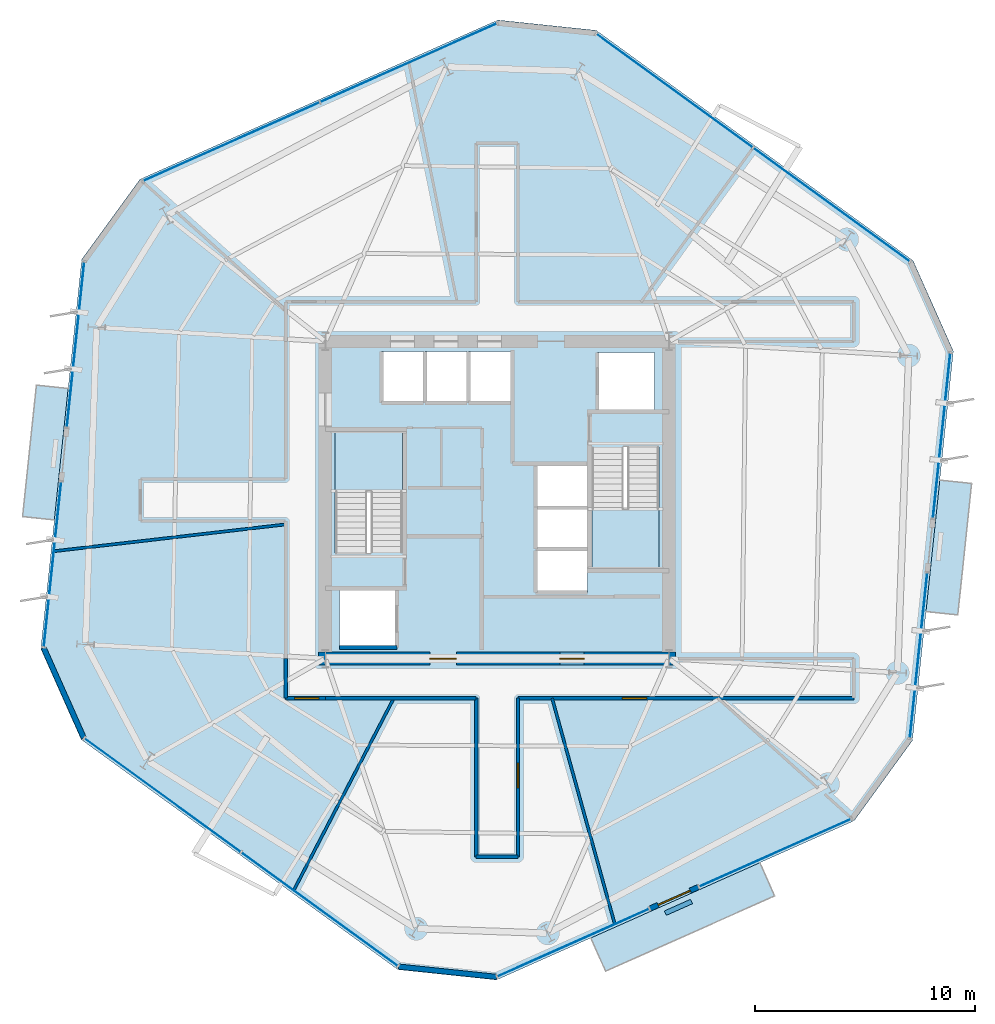
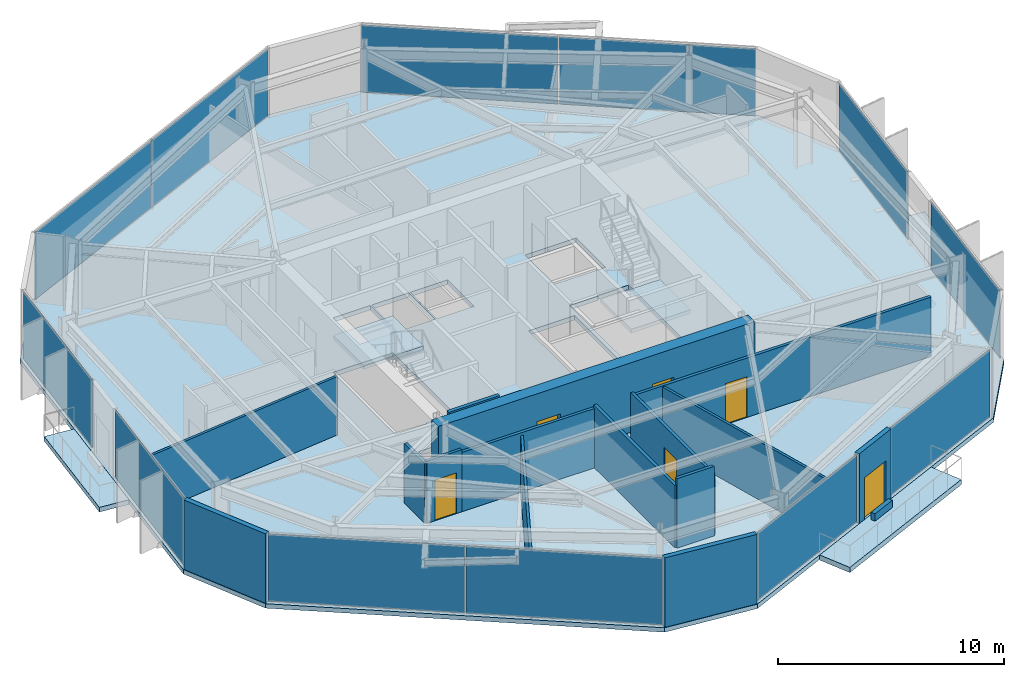
# One storey, part 6 of 13: 16 walls, 12 plates, 6 doors, 6 slabs, 6 openings, 11 elements without a shape of their own.
"""IFC4 building model written with IfcOpenShell, lengths in metres."""

from ifc_helpers import new_model, si_unit, direction, frame, frame_2d, origin, origin_2d, place, context, subcontext, project, spatial, polyline, rectangle, outline, extrude, material, layer, layer_set, type_object, element, fill, aggregate, save


model = new_model("IFC4")

# Units and contexts
model_context = context("Model", 3, precision=1e-05, world=origin(), true_north=direction((0.0, 1.0)))
body_context = subcontext(model_context, "Body", "Model", "MODEL_VIEW")
ifc_project = project(units=[si_unit("LENGTHUNIT", "METRE"), si_unit("AREAUNIT", "SQUARE_METRE"), si_unit("VOLUMEUNIT", "CUBIC_METRE"), si_unit("PLANEANGLEUNIT", "RADIAN"), si_unit("MASSUNIT", "GRAM", prefix="KILO")], contexts=[model_context])

# Site, building, storey
site_placement = place(None, origin())
site = spatial("IfcSite", under=ifc_project, at=site_placement, CompositionType="ELEMENT")
building_placement = place(site_placement, origin())
building = spatial("IfcBuilding", under=site, at=building_placement, Name="Kranzbogen Civic Tower", CompositionType="ELEMENT")
storey_placement = place(building_placement, frame((0.0, 0.0, 118.39990234375)))
storey = spatial("IfcBuildingStorey", under=building, at=storey_placement, Name="L28", CompositionType="ELEMENT", Elevation=118.39990234375)

# Slab
ifc_material_1 = material(Name="Concrete C40/50", Category="concrete")
ifc_layer_1 = layer(ifc_material_1, 0.239990234375, Name="Concrete C40/50")
ifc_layer_set_1 = layer_set([ifc_layer_1], Name="Concrete C40/50")
slab_type_1 = type_object("IfcSlabType", Name="Composite Lower Tower Floor Slab 240 mm", PredefinedType="FLOOR", material=ifc_layer_set_1)
slab_1_placement = place(storey_placement, frame((0.0, 0.0, -0.239990234375)))
element("IfcSlab", 1, at=slab_1_placement, inside=storey, type_object=slab_type_1, Name="L28 tower floor slab", PredefinedType="FLOOR", context=body_context, shape_type="SweptSolid", body=[
    extrude(outline(polyline([(43.889892578125, 35.873046875), (29.50390625, 46.325927734375), (25.028076171875, 46.7958984375), (8.782958984375, 39.56298828125), (6.137939453125, 35.923095703125), (4.280029296875, 18.238037109375), (6.110107421875, 14.126953125), (20.49609375, 3.674072265625), (24.971923828125, 3.2041015625), (41.217041015625, 10.43701171875), (43.862060546875, 14.076904296875), (45.719970703125, 31.761962890625), (43.889892578125, 35.873046875)]), holes=[polyline([(20.449951171875, 20.89990234375), (20.449951171875, 18.300048828125), (17.85009765625, 18.300048828125), (17.85009765625, 20.89990234375), (20.449951171875, 20.89990234375)]), polyline([(29.10009765625, 22.699951171875), (29.10009765625, 20.800048828125), (26.75, 20.800048828125), (26.75, 22.699951171875), (29.10009765625, 22.699951171875)]), polyline([(29.10009765625, 24.64990234375), (29.10009765625, 22.77490234375), (26.75, 22.77490234375), (26.75, 24.64990234375), (26.75, 24.675048828125), (26.75, 26.550048828125), (29.10009765625, 26.550048828125), (29.10009765625, 24.675048828125), (29.10009765625, 24.64990234375)]), polyline([(30.75, 27.340087890625), (30.75, 27.39990234375), (32.35009765625, 27.39990234375), (32.35009765625, 21.89990234375), (29.300048828125, 21.89990234375), (29.300048828125, 27.340087890625), (30.75, 27.340087890625)]), polyline([(19.25, 22.659912109375), (19.25, 22.60009765625), (17.64990234375, 22.60009765625), (17.64990234375, 28.10009765625), (20.699951171875, 28.10009765625), (20.699951171875, 22.659912109375), (19.25, 22.659912109375)]), polyline([(32.14990234375, 31.699951171875), (32.14990234375, 29.10009765625), (29.550048828125, 29.10009765625), (29.550048828125, 31.699951171875), (32.14990234375, 31.699951171875)]), polyline([(21.64990234375, 31.75), (21.64990234375, 29.39990234375), (19.75, 29.39990234375), (19.75, 31.75), (21.64990234375, 31.75)]), polyline([(23.625, 29.39990234375), (21.72509765625, 29.39990234375), (21.72509765625, 31.75), (23.625, 31.75), (23.625, 29.39990234375)]), polyline([(25.60009765625, 29.39990234375), (23.699951171875, 29.39990234375), (23.699951171875, 31.75), (25.60009765625, 31.75), (25.60009765625, 29.39990234375)])]), origin(), (0.0, 0.0, 1.0), 0.239990234375),
])

# Curtain wall, plates
ifc_material_2 = material(Name="Pale Anodised Aluminium", Category="aluminium")
ifc_layer_2 = layer(ifc_material_2, 0.219970703125, Name="Pale Anodised Aluminium")
ifc_layer_set_2 = layer_set([ifc_layer_2], Name="Pale Anodised Aluminium")
curtain_wall_type = type_object("IfcCurtainWallType", Name="Zone 2 Stick Curtain Wall System CW-03", PredefinedType="USERDEFINED", material=ifc_layer_set_2)
curtain_wall_1_placement = place(storey_placement, origin())
curtain_wall_1 = element("IfcCurtainWall", 2, at=curtain_wall_1_placement, inside=storey, type_object=curtain_wall_type, Name="L28 curtain wall CW-L28-F1", ObjectType="STICK CURTAIN WALL", PredefinedType="USERDEFINED")
ifc_material_3 = material(Name="Low-E Triple Glazing Glass", Category="glass")
ifc_layer_3 = layer(ifc_material_3, 0.031982421875, Name="Low-E Triple Glazing Glass")
ifc_layer_set_3 = layer_set([ifc_layer_3], Name="Low-E Triple Glazing Glass")
plate_type = type_object("IfcPlateType", Name="Insulated Low-E Glazing Panel 32 mm", PredefinedType="CURTAIN_PANEL", material=ifc_layer_set_3)
plate_1_placement = place(storey_placement, frame((40.183349609375, 38.408203125, 0.06005859375), z_axis=(0.0, 0.0, 1.0), x_axis=(-0.808995433377, 0.587814927315, 0.0)))
plate_1 = element("IfcPlate", 3, at=plate_1_placement, type_object=plate_type, Name="CW-03 panel 1.1", PredefinedType="CURTAIN_PANEL", context=body_context, shape_type="SweptSolid", body=[
    extrude(rectangle(XDim=8.744384765625, YDim=0.028076171875, at=origin_2d()), origin(), (0.0, 0.0, 1.0), 3.639892578125),
])
plate_2_placement = place(storey_placement, frame((33.060546875, 43.583740234375, 0.06005859375), z_axis=(0.0, 0.0, 1.0), x_axis=(-0.808995433377, 0.587814927315, 0.0)))
plate_2 = element("IfcPlate", 4, at=plate_2_placement, type_object=plate_type, Name="CW-03 panel 2.1", PredefinedType="CURTAIN_PANEL", context=body_context, shape_type="SweptSolid", body=[
    extrude(rectangle(XDim=8.744384765625, YDim=0.028076171875, at=origin_2d()), origin(), (0.0, 0.0, 1.0), 3.639892578125),
])
aggregate(curtain_wall_1, [plate_1, plate_2])

curtain_wall_2_placement = place(storey_placement, origin())
curtain_wall_2 = element("IfcCurtainWall", 5, at=curtain_wall_2_placement, inside=storey, type_object=curtain_wall_type, Name="L28 curtain wall CW-L28-F2", ObjectType="STICK CURTAIN WALL", PredefinedType="USERDEFINED")
plate_3_placement = place(storey_placement, frame((20.97900390625, 44.85302734375, 0.06005859375), z_axis=(0.0, 0.0, 1.0), x_axis=(-0.913533600789, -0.406763272961, 0.0)))
plate_3 = element("IfcPlate", 6, at=plate_3_placement, type_object=plate_type, Name="CW-03 panel 1.1", PredefinedType="CURTAIN_PANEL", context=body_context, shape_type="SweptSolid", body=[
    extrude(rectangle(XDim=8.744384765625, YDim=0.028076171875, at=origin_2d()), origin(), (0.0, 0.0, 1.0), 3.639892578125),
])
plate_4_placement = place(storey_placement, frame((12.93603515625, 41.27197265625, 0.06005859375), z_axis=(0.0, 0.0, 1.0), x_axis=(-0.913533600789, -0.406763272961, 0.0)))
plate_4 = element("IfcPlate", 7, at=plate_4_placement, type_object=plate_type, Name="CW-03 panel 2.1", PredefinedType="CURTAIN_PANEL", context=body_context, shape_type="SweptSolid", body=[
    extrude(rectangle(XDim=8.744384765625, YDim=0.028076171875, at=origin_2d()), origin(), (0.0, 0.0, 1.0), 3.639892578125),
])
aggregate(curtain_wall_2, [plate_3, plate_4])

# Curtain wall, plate
curtain_wall_3_placement = place(storey_placement, origin())
curtain_wall_3 = element("IfcCurtainWall", 8, at=curtain_wall_3_placement, inside=storey, type_object=curtain_wall_type, Name="L28 curtain wall CW-L28-F3-S1", ObjectType="STICK CURTAIN WALL", PredefinedType="USERDEFINED")
plate_5_placement = place(storey_placement, frame((5.860107421875, 32.056884765625, 0.06005859375), z_axis=(0.0, 0.0, 1.0), x_axis=(-0.104534766048, -0.994521232899, 0.0)))
plate_5 = element("IfcPlate", 9, at=plate_5_placement, type_object=plate_type, Name="CW-03 panel 1.1", PredefinedType="CURTAIN_PANEL", context=body_context, shape_type="SweptSolid", body=[
    extrude(rectangle(XDim=7.513916015625, YDim=0.028076171875, at=origin_2d()), origin(), (0.0, 0.0, 1.0), 3.639892578125),
])
aggregate(curtain_wall_3, [plate_5])

curtain_wall_4_placement = place(storey_placement, origin())
curtain_wall_4 = element("IfcCurtainWall", 10, at=curtain_wall_4_placement, inside=storey, type_object=curtain_wall_type, Name="L28 curtain wall CW-L28-F3-S2", ObjectType="STICK CURTAIN WALL", PredefinedType="USERDEFINED")
plate_6_placement = place(storey_placement, frame((4.81201171875, 22.077392578125, 0.06005859375), z_axis=(0.0, 0.0, 1.0), x_axis=(-0.104521149206, -0.99452266408, 0.0)))
plate_6 = element("IfcPlate", 11, at=plate_6_placement, type_object=plate_type, Name="CW-03 panel 1.1", PredefinedType="CURTAIN_PANEL", context=body_context, shape_type="SweptSolid", body=[
    extrude(rectangle(XDim=7.514892578125, YDim=0.028076171875, at=origin_2d()), origin(), (0.0, 0.0, 1.0), 3.639892578125),
])
aggregate(curtain_wall_4, [plate_6])

# Curtain wall, plates
curtain_wall_5_placement = place(storey_placement, origin())
curtain_wall_5 = element("IfcCurtainWall", 12, at=curtain_wall_5_placement, inside=storey, type_object=curtain_wall_type, Name="L28 curtain wall CW-L28-F4", ObjectType="STICK CURTAIN WALL", PredefinedType="USERDEFINED")
plate_7_placement = place(storey_placement, frame((9.816650390625, 11.591796875, 0.06005859375), z_axis=(0.0, 0.0, 1.0), x_axis=(0.808995433377, -0.587814927315, 0.0)))
plate_7 = element("IfcPlate", 13, at=plate_7_placement, type_object=plate_type, Name="CW-03 panel 1.1", PredefinedType="CURTAIN_PANEL", context=body_context, shape_type="SweptSolid", body=[
    extrude(rectangle(XDim=8.744384765625, YDim=0.028076171875, at=origin_2d()), origin(), (0.0, 0.0, 1.0), 3.639892578125),
])
plate_8_placement = place(storey_placement, frame((16.939453125, 6.416259765625, 0.06005859375), z_axis=(0.0, 0.0, 1.0), x_axis=(0.808995433377, -0.587814927315, 0.0)))
plate_8 = element("IfcPlate", 14, at=plate_8_placement, type_object=plate_type, Name="CW-03 panel 2.1", PredefinedType="CURTAIN_PANEL", context=body_context, shape_type="SweptSolid", body=[
    extrude(rectangle(XDim=8.744384765625, YDim=0.028076171875, at=origin_2d()), origin(), (0.0, 0.0, 1.0), 3.639892578125),
])
aggregate(curtain_wall_5, [plate_7, plate_8])

# Curtain wall, plate
curtain_wall_6_placement = place(storey_placement, origin())
curtain_wall_6 = element("IfcCurtainWall", 15, at=curtain_wall_6_placement, inside=storey, type_object=curtain_wall_type, Name="L28 curtain wall CW-L28-F5-S1", ObjectType="STICK CURTAIN WALL", PredefinedType="USERDEFINED")
plate_9_placement = place(storey_placement, frame((28.458984375, 4.896484375, 0.06005859375), z_axis=(0.0, 0.0, 1.0), x_axis=(0.91354666724, 0.406733926264, 0.0)))
plate_9 = element("IfcPlate", 16, at=plate_9_placement, type_object=plate_type, Name="CW-03 panel 1.1", PredefinedType="CURTAIN_PANEL", context=body_context, shape_type="SweptSolid", body=[
    extrude(rectangle(XDim=7.513916015625, YDim=0.028076171875, at=origin_2d()), origin(), (0.0, 0.0, 1.0), 3.639892578125),
])
aggregate(curtain_wall_6, [plate_9])

curtain_wall_7_placement = place(storey_placement, origin())
curtain_wall_7 = element("IfcCurtainWall", 17, at=curtain_wall_7_placement, inside=storey, type_object=curtain_wall_type, Name="L28 curtain wall CW-L28-F5-S2", ObjectType="STICK CURTAIN WALL", PredefinedType="USERDEFINED")
plate_10_placement = place(storey_placement, frame((37.62548828125, 8.97802734375, 0.06005859375), z_axis=(0.0, 0.0, 1.0), x_axis=(0.913519667223, 0.406794564366, 0.0)))
plate_10 = element("IfcPlate", 18, at=plate_10_placement, type_object=plate_type, Name="CW-03 panel 1.1", PredefinedType="CURTAIN_PANEL", context=body_context, shape_type="SweptSolid", body=[
    extrude(rectangle(XDim=7.515380859375, YDim=0.028076171875, at=origin_2d()), origin(), (0.0, 0.0, 1.0), 3.639892578125),
])
aggregate(curtain_wall_7, [plate_10])

curtain_wall_8_placement = place(storey_placement, origin())
curtain_wall_8 = element("IfcCurtainWall", 19, at=curtain_wall_8_placement, inside=storey, type_object=curtain_wall_type, Name="L28 curtain wall CW-L28-F6-S1", ObjectType="STICK CURTAIN WALL", PredefinedType="USERDEFINED")
plate_11_placement = place(storey_placement, frame((44.139892578125, 17.943115234375, 0.06005859375), z_axis=(0.0, 0.0, 1.0), x_axis=(0.104534766048, 0.994521232899, 0.0)))
plate_11 = element("IfcPlate", 20, at=plate_11_placement, type_object=plate_type, Name="CW-03 panel 1.1", PredefinedType="CURTAIN_PANEL", context=body_context, shape_type="SweptSolid", body=[
    extrude(rectangle(XDim=7.513916015625, YDim=0.028076171875, at=origin_2d()), origin(), (0.0, 0.0, 1.0), 3.639892578125),
])
aggregate(curtain_wall_8, [plate_11])

curtain_wall_9_placement = place(storey_placement, origin())
curtain_wall_9 = element("IfcCurtainWall", 21, at=curtain_wall_9_placement, inside=storey, type_object=curtain_wall_type, Name="L28 curtain wall CW-L28-F6-S2", ObjectType="STICK CURTAIN WALL", PredefinedType="USERDEFINED")
plate_12_placement = place(storey_placement, frame((45.18798828125, 27.922607421875, 0.06005859375), z_axis=(0.0, 0.0, 1.0), x_axis=(0.104521149206, 0.99452266408, 0.0)))
plate_12 = element("IfcPlate", 22, at=plate_12_placement, type_object=plate_type, Name="CW-03 panel 1.1", PredefinedType="CURTAIN_PANEL", context=body_context, shape_type="SweptSolid", body=[
    extrude(rectangle(XDim=7.514892578125, YDim=0.028076171875, at=origin_2d()), origin(), (0.0, 0.0, 1.0), 3.639892578125),
])
aggregate(curtain_wall_9, [plate_12])

# Stair, slab
ifc_material_4 = material(Name="Precast concrete C40/50", Category="concrete")
stair_type_1 = type_object("IfcStairType", Name="Tower Core Pressurized Dogleg Stair 1450", PredefinedType="HALF_TURN_STAIR", material=ifc_material_4)
stair_1_placement = place(storey_placement, origin())
stair_1 = element("IfcStair", 23, at=stair_1_placement, inside=storey, type_object=stair_type_1, Name="L28 Tower Core Pressurized Stair 1", PredefinedType="HALF_TURN_STAIR")
ifc_layer_4 = layer(ifc_material_4, 0.199951171875, Name="Precast concrete C40/50")
ifc_layer_set_4 = layer_set([ifc_layer_4], Name="Precast concrete C40/50")
slab_type_2 = type_object("IfcSlabType", Name="Precast Concrete Stair Landing Slab 200 mm", PredefinedType="LANDING", material=ifc_layer_set_4)
slab_2_placement = place(storey_placement, frame((0.0, 0.0, 1.800048828125)))
slab_2 = element("IfcSlab", 24, at=slab_2_placement, type_object=slab_type_2, Name="ST-T1 landing 1", PredefinedType="LANDING", context=body_context, shape_type="SweptSolid", body=[
    extrude(outline(polyline([(20.699951171875, 25.39990234375), (20.699951171875, 28.10009765625), (17.64990234375, 28.10009765625), (17.64990234375, 25.39990234375), (20.699951171875, 25.39990234375)])), origin(), (0.0, 0.0, 1.0), 0.199951171875),
])
aggregate(stair_1, [slab_2])

stair_type_2 = type_object("IfcStairType", Name="Tower Core Secondary Dogleg Stair 1450", PredefinedType="HALF_TURN_STAIR", material=ifc_material_4)
stair_2_placement = place(storey_placement, origin())
stair_2 = element("IfcStair", 25, at=stair_2_placement, inside=storey, type_object=stair_type_2, Name="L28 Tower Core Pressurized Stair 2", PredefinedType="HALF_TURN_STAIR")
slab_3_placement = place(storey_placement, frame((0.0, 0.0, 1.800048828125)))
slab_3 = element("IfcSlab", 26, at=slab_3_placement, type_object=slab_type_2, Name="ST-T2 landing 1", PredefinedType="LANDING", context=body_context, shape_type="SweptSolid", body=[
    extrude(outline(polyline([(29.300048828125, 24.60009765625), (29.300048828125, 21.89990234375), (32.35009765625, 21.89990234375), (32.35009765625, 24.60009765625), (29.300048828125, 24.60009765625)])), origin(), (0.0, 0.0, 1.0), 0.199951171875),
])
aggregate(stair_2, [slab_3])

# Slabs
ifc_layer_5 = layer(ifc_material_1, 0.280029296875, Name="Concrete C40/50")
ifc_layer_set_5 = layer_set([ifc_layer_5], Name="Concrete C40/50")
slab_type_3 = type_object("IfcSlabType", Name="Spiral Terrace Cantilevered Slab 280 mm", PredefinedType="FLOOR", material=ifc_layer_set_5)
slab_4_placement = place(storey_placement, frame((0.0, 0.0, -0.27978515625)))
element("IfcSlab", 27, at=slab_4_placement, inside=storey, type_object=slab_type_3, Name="L28 cantilevered spiral terrace L28-ST", PredefinedType="FLOOR", context=body_context, shape_type="SweptSolid", body=[
    extrude(outline(polyline([(29.257080078125, 5.112060546875), (36.930908203125, 8.529052734375), (37.60205078125, 7.02197265625), (29.927978515625, 3.60498046875), (29.257080078125, 5.112060546875)])), origin(), (0.0, 0.0, 1.0), 0.27978515625),
])
ifc_layer_6 = layer(ifc_material_1, 0.25, Name="Concrete C40/50")
ifc_layer_set_6 = layer_set([ifc_layer_6], Name="Concrete C40/50")
slab_type_4 = type_object("IfcSlabType", Name="Tree Balcony Cantilevered Slab 250 mm", PredefinedType="FLOOR", material=ifc_layer_set_6)
slab_5_placement = place(storey_placement, frame((0.0, 0.0, -0.25)))
element("IfcSlab", 28, at=slab_5_placement, inside=storey, type_object=slab_type_4, Name="L28 cantilevered tree balcony L28-TB1", PredefinedType="FLOOR", context=body_context, shape_type="SweptSolid", body=[
    extrude(outline(polyline([(44.47705078125, 19.93603515625), (45.10498046875, 25.903076171875), (46.547119140625, 25.7509765625), (45.9189453125, 19.783935546875), (44.47705078125, 19.93603515625)])), origin(), (0.0, 0.0, 1.0), 0.25),
])
slab_6_placement = place(storey_placement, frame((0.0, 0.0, -0.25)))
element("IfcSlab", 29, at=slab_6_placement, inside=storey, type_object=slab_type_4, Name="L28 cantilevered tree balcony L28-TB2", PredefinedType="FLOOR", context=body_context, shape_type="SweptSolid", body=[
    extrude(outline(polyline([(5.52294921875, 30.06396484375), (4.89501953125, 24.096923828125), (3.452880859375, 24.2490234375), (4.0810546875, 30.216064453125), (5.52294921875, 30.06396484375)])), origin(), (0.0, 0.0, 1.0), 0.25),
])

# Wall, opening, door
ifc_material_5 = material(Name="Double-Stud Acoustic Gypsum Partition")
ifc_layer_7 = layer(ifc_material_5, 0.14990234375, Name="Double-Stud Acoustic Gypsum Partition")
ifc_layer_set_7 = layer_set([ifc_layer_7], Name="Double-Stud Acoustic Gypsum Partition")
wall_type_1 = type_object("IfcWallType", Name="Acoustic Corridor and Clinical Partition 150 mm", PredefinedType="PARTITIONING", material=ifc_layer_set_7)
wall_1_placement = place(storey_placement, frame((17.199951171875, 16.0, 0.0), z_axis=(0.0, 0.0, 1.0), x_axis=(-1.0, 0.0, 0.0)))
wall_1 = element("IfcWall", 30, at=wall_1_placement, inside=storey, type_object=wall_type_1, Name="L28 corridor partition 01", PredefinedType="PARTITIONING", context=body_context, shape_type="SweptSolid", body=[
    extrude(rectangle(XDim=1.800048828125, YDim=0.14990234375, at=frame_2d((0.89990234375, 0.0))), origin(), (0.0, 0.0, 1.0), 3.360107421875),
])
opening_1_placement = place(wall_1_placement, frame((0.287109375, 0.0, 0.0)))
opening_1 = element("IfcOpeningElement", 31, at=opening_1_placement, cuts=wall_1, Name="Opening D-COR60", PredefinedType="OPENING", context=body_context, shape_type="SweptSolid", body=[
    extrude(rectangle(XDim=1.10009765625, YDim=2.199951171875, at=frame_2d((0.550048828125, 1.10009765625))), frame((0.0, 0.0849609375, 0.0), z_axis=(0.0, -1.0, 0.0), x_axis=(1.0, 0.0, 0.0)), (0.0, 0.0, 1.0), 0.169921875),
])
ifc_material_6 = material(Name="Oak Timber and Fire Core", Category="wood")
door_type_1 = type_object("IfcDoorType", Name="Corridor Acoustic Fire Door 1100x2200", OperationType="NOTDEFINED", PredefinedType="DOOR", material=ifc_material_6)
door_1_placement = place(opening_1_placement, origin())
door_1 = element("IfcDoor", 32, at=door_1_placement, inside=storey, type_object=door_type_1, Name="L28 Executive Briefing Conference Room door", OperationType="SINGLE_SWING_LEFT", OverallHeight=2.199951171875, OverallWidth=1.10009765625, PredefinedType="DOOR", context=body_context, shape_type="SweptSolid", body=[
    extrude(rectangle(XDim=1.10009765625, YDim=2.199951171875, at=frame_2d((0.550048828125, 1.10009765625))), frame((0.0, 0.02490234375, 0.0), z_axis=(0.0, -1.0, 0.0), x_axis=(1.0, 0.0, 0.0)), (0.0, 0.0, 1.0), 0.050048828125),
])
fill(opening_1, door_1)

# Wall
wall_2_placement = place(storey_placement, frame((15.39990234375, 16.0, 0.0), z_axis=(0.0, 0.0, 1.0), x_axis=(0.0, 1.0, 0.0)))
element("IfcWall", 33, at=wall_2_placement, inside=storey, type_object=wall_type_1, Name="L28 corridor partition 02", PredefinedType="PARTITIONING", context=body_context, shape_type="SweptSolid", body=[
    extrude(rectangle(XDim=1.800048828125, YDim=0.14990234375, at=frame_2d((0.89990234375, 0.0))), origin(), (0.0, 0.0, 1.0), 3.210205078125),
])

# Wall, opening, door
wall_3_placement = place(storey_placement, frame((41.199951171875, 16.0, 0.0), z_axis=(0.0, 0.0, 1.0), x_axis=(-1.0, 0.0, 0.0)))
wall_3 = element("IfcWall", 34, at=wall_3_placement, inside=storey, type_object=wall_type_1, Name="L28 corridor partition 19", PredefinedType="PARTITIONING", context=body_context, shape_type="SweptSolid", body=[
    extrude(rectangle(XDim=15.25, YDim=0.14990234375, at=frame_2d((7.625, 0.0))), origin(), (0.0, 0.0, 1.0), 3.210205078125),
])
opening_2_placement = place(wall_3_placement, frame((9.410888671875, 0.0, 0.0)))
opening_2 = element("IfcOpeningElement", 35, at=opening_2_placement, cuts=wall_3, Name="Opening D-COR60", PredefinedType="OPENING", context=body_context, shape_type="SweptSolid", body=[
    extrude(rectangle(XDim=1.10009765625, YDim=2.199951171875, at=frame_2d((0.550048828125, 1.10009765625))), frame((0.0, 0.0849609375, 0.0), z_axis=(0.0, -1.0, 0.0), x_axis=(1.0, 0.0, 0.0)), (0.0, 0.0, 1.0), 0.169921875),
])
door_2_placement = place(opening_2_placement, origin())
door_2 = element("IfcDoor", 36, at=door_2_placement, inside=storey, type_object=door_type_1, Name="L28 Policy Seminar Room door", OperationType="SINGLE_SWING_LEFT", OverallHeight=2.199951171875, OverallWidth=1.10009765625, PredefinedType="DOOR", context=body_context, shape_type="SweptSolid", body=[
    extrude(rectangle(XDim=1.10009765625, YDim=2.199951171875, at=frame_2d((0.550048828125, 1.10009765625))), frame((0.0, 0.02490234375, 0.0), z_axis=(0.0, -1.0, 0.0), x_axis=(1.0, 0.0, 0.0)), (0.0, 0.0, 1.0), 0.050048828125),
])
fill(opening_2, door_2)

wall_4_placement = place(storey_placement, frame((25.949951171875, 16.0, 0.0), z_axis=(0.0, 0.0, 1.0), x_axis=(0.0, -1.0, 0.0)))
wall_4 = element("IfcWall", 37, at=wall_4_placement, inside=storey, type_object=wall_type_1, Name="L28 corridor partition 20", PredefinedType="PARTITIONING", context=body_context, shape_type="SweptSolid", body=[
    extrude(rectangle(XDim=7.199951171875, YDim=0.14990234375, at=frame_2d((3.60009765625, 0.0))), origin(), (0.0, 0.0, 1.0), 3.360107421875),
])
opening_3_placement = place(wall_4_placement, frame((2.9619140625, 0.0, 0.0)))
opening_3 = element("IfcOpeningElement", 38, at=opening_3_placement, cuts=wall_4, Name="Opening D-COR60", PredefinedType="OPENING", context=body_context, shape_type="SweptSolid", body=[
    extrude(rectangle(XDim=1.10009765625, YDim=2.199951171875, at=frame_2d((0.550048828125, 1.10009765625))), frame((0.0, 0.0849609375, 0.0), z_axis=(0.0, -1.0, 0.0), x_axis=(1.0, 0.0, 0.0)), (0.0, 0.0, 1.0), 0.169921875),
])
door_3_placement = place(opening_3_placement, origin())
door_3 = element("IfcDoor", 39, at=door_3_placement, inside=storey, type_object=door_type_1, Name="L28 Parliamentary Review Boardroom door", OperationType="SINGLE_SWING_RIGHT", OverallHeight=2.199951171875, OverallWidth=1.10009765625, PredefinedType="DOOR", context=body_context, shape_type="SweptSolid", body=[
    extrude(rectangle(XDim=1.10009765625, YDim=2.199951171875, at=frame_2d((0.550048828125, 1.10009765625))), frame((0.0, 0.02490234375, 0.0), z_axis=(0.0, -1.0, 0.0), x_axis=(1.0, 0.0, 0.0)), (0.0, 0.0, 1.0), 0.050048828125),
])
fill(opening_3, door_3)

# Walls
wall_5_placement = place(storey_placement, frame((25.949951171875, 8.800048828125, 0.0), z_axis=(0.0, 0.0, 1.0), x_axis=(-1.0, 0.0, 0.0)))
element("IfcWall", 40, at=wall_5_placement, inside=storey, type_object=wall_type_1, Name="L28 corridor partition 21", PredefinedType="PARTITIONING", context=body_context, shape_type="SweptSolid", body=[
    extrude(rectangle(XDim=1.89990234375, YDim=0.14990234375, at=frame_2d((0.949951171875, 0.0))), origin(), (0.0, 0.0, 1.0), 3.760009765625),
])
wall_6_placement = place(storey_placement, frame((24.050048828125, 8.800048828125, 0.0), z_axis=(0.0, 0.0, 1.0), x_axis=(0.0, 1.0, 0.0)))
element("IfcWall", 41, at=wall_6_placement, inside=storey, type_object=wall_type_1, Name="L28 corridor partition 22", PredefinedType="PARTITIONING", context=body_context, shape_type="SweptSolid", body=[
    extrude(rectangle(XDim=7.199951171875, YDim=0.14990234375, at=frame_2d((3.60009765625, 0.0))), origin(), (0.0, 0.0, 1.0), 3.360107421875),
])
wall_7_placement = place(storey_placement, frame((24.050048828125, 16.0, 0.0), z_axis=(0.0, 0.0, 1.0), x_axis=(-1.0, 0.0, 0.0)))
element("IfcWall", 42, at=wall_7_placement, inside=storey, type_object=wall_type_1, Name="L28 corridor partition 23", PredefinedType="PARTITIONING", context=body_context, shape_type="SweptSolid", body=[
    extrude(rectangle(XDim=6.85009765625, YDim=0.14990234375, at=frame_2d((3.425048828125, 0.0))), origin(), (0.0, 0.0, 1.0), 3.210205078125),
])
ifc_material_7 = material(Name="Insulated Metal-Stud Gypsum Partition")
ifc_layer_8 = layer(ifc_material_7, 0.125, Name="Insulated Metal-Stud Gypsum Partition")
ifc_layer_set_8 = layer_set([ifc_layer_8], Name="Insulated Metal-Stud Gypsum Partition")
wall_type_2 = type_object("IfcWallType", Name="Acoustic Inter-Room Partition 125 mm", PredefinedType="PARTITIONING", material=ifc_layer_set_8)
wall_8_placement = place(storey_placement, frame((15.39990234375, 23.89111328125, 0.0), z_axis=(0.0, 0.0, 1.0), x_axis=(-0.993380400017, -0.114871148952, 0.0)))
element("IfcWall", 43, at=wall_8_placement, inside=storey, type_object=wall_type_2, Name="L28 radial room partition 04", PredefinedType="PARTITIONING", context=body_context, shape_type="SweptSolid", body=[
    extrude(rectangle(XDim=10.577880859375, YDim=0.125, at=frame_2d((5.2890625, 0.0))), origin(), (0.0, 0.0, 1.0), 3.16015625),
])
wall_9_placement = place(storey_placement, frame((20.31201171875, 16.0, 0.0), z_axis=(0.0, 0.0, 1.0), x_axis=(-0.46193075433, -0.886915992755, 0.0)))
element("IfcWall", 44, at=wall_9_placement, inside=storey, type_object=wall_type_2, Name="L28 radial room partition 05", PredefinedType="PARTITIONING", context=body_context, shape_type="SweptSolid", body=[
    extrude(rectangle(XDim=9.826171875, YDim=0.125, at=frame_2d((4.9130859375, 0.0))), origin(), (0.0, 0.0, 1.0), 3.050048828125),
])
wall_10_placement = place(storey_placement, frame((27.498046875, 16.0, 0.0), z_axis=(0.0, 0.0, 1.0), x_axis=(0.267456760759, -0.963569863126, 0.0)))
element("IfcWall", 45, at=wall_10_placement, inside=storey, type_object=wall_type_2, Name="L28 radial room partition 06", PredefinedType="PARTITIONING", context=body_context, shape_type="SweptSolid", body=[
    extrude(rectangle(XDim=10.633544921875, YDim=0.125, at=frame_2d((5.31689453125, 0.0))), origin(), (0.0, 0.0, 1.0), 3.16015625),
])
ifc_material_8 = material(Name="Architectural Precast Terracotta Concrete C40/50", Category="masonry")
ifc_layer_9 = layer(ifc_material_8, 0.219970703125, Name="Architectural Precast Terracotta Concrete C40/50")
ifc_layer_set_9 = layer_set([ifc_layer_9], Name="Architectural Precast Terracotta Concrete C40/50")
wall_type_3 = type_object("IfcWallType", Name="Architectural Tree Planter Kerb Wall 220 mm", PredefinedType="USERDEFINED", material=ifc_layer_set_9)
wall_11_placement = place(storey_placement, frame((32.64111328125, 6.239990234375, 0.0), z_axis=(0.0, 0.0, 1.0), x_axis=(0.913788315317, 0.406190736957, 0.0)))
element("IfcWall", 46, at=wall_11_placement, inside=storey, type_object=wall_type_3, Name="L28 landscaped tree balcony planter L28-ST", ObjectType="PLANTER_WALL", PredefinedType="USERDEFINED", context=body_context, shape_type="SweptSolid", body=[
    extrude(rectangle(XDim=1.300048828125, YDim=0.219970703125, at=frame_2d((0.64990234375, 0.0))), origin(), (0.0, 0.0, 1.0), 0.400146484375),
])

# Wall, openings, doors
ifc_material_9 = material(Name="Concrete C55/67", Category="concrete")
ifc_layer_10 = layer(ifc_material_9, 0.60009765625, Name="Concrete C55/67")
ifc_layer_set_10 = layer_set([ifc_layer_10], Name="Concrete C55/67")
wall_type_4 = type_object("IfcWallType", Name="Central Core Shear Wall 600 mm", PredefinedType="SHEAR", material=ifc_layer_set_10)
wall_12_placement = place(storey_placement, frame((16.89990234375, 17.800048828125, 0.0), z_axis=(0.0, 0.0, 1.0), x_axis=(1.0, 0.0, 0.0)))
wall_12 = element("IfcWall", 47, at=wall_12_placement, inside=storey, type_object=wall_type_4, Name="L28 central core South shear wall", PredefinedType="SHEAR", context=body_context, shape_type="SweptSolid", body=[
    extrude(rectangle(XDim=16.2001953125, YDim=0.60009765625, at=frame_2d((8.10009765625, 0.0))), origin(), (0.0, 0.0, 1.0), 3.760009765625),
])
opening_4_placement = place(wall_12_placement, frame((5.050048828125, 0.0, 0.0)))
opening_4 = element("IfcOpeningElement", 48, at=opening_4_placement, cuts=wall_12, Name="Opening D-EX120", PredefinedType="OPENING", context=body_context, shape_type="SweptSolid", body=[
    extrude(rectangle(XDim=1.199951171875, YDim=2.25, at=frame_2d((0.60009765625, 1.125))), frame((0.0, 0.31005859375, 0.0), z_axis=(0.0, -1.0, 0.0), x_axis=(1.0, 0.0, 0.0)), (0.0, 0.0, 1.0), 0.6201171875),
])
opening_5_placement = place(wall_12_placement, frame((10.949951171875, 0.0, 0.0)))
opening_5 = element("IfcOpeningElement", 49, at=opening_5_placement, cuts=wall_12, Name="Opening D-COR60", PredefinedType="OPENING", context=body_context, shape_type="SweptSolid", body=[
    extrude(rectangle(XDim=1.10009765625, YDim=2.199951171875, at=frame_2d((0.550048828125, 1.10009765625))), frame((0.0, 0.31005859375, 0.0), z_axis=(0.0, -1.0, 0.0), x_axis=(1.0, 0.0, 0.0)), (0.0, 0.0, 1.0), 0.6201171875),
])
door_4_placement = place(opening_5_placement, origin())
door_4 = element("IfcDoor", 50, at=door_4_placement, inside=storey, type_object=door_type_1, Name="L28 REC1 archive room door", OperationType="SINGLE_SWING_RIGHT", OverallHeight=2.199951171875, OverallWidth=1.10009765625, PredefinedType="DOOR", context=body_context, shape_type="SweptSolid", body=[
    extrude(rectangle(XDim=1.10009765625, YDim=2.199951171875, at=frame_2d((0.550048828125, 1.10009765625))), frame((0.0, 0.02490234375, 0.0), z_axis=(0.0, -1.0, 0.0), x_axis=(1.0, 0.0, 0.0)), (0.0, 0.0, 1.0), 0.050048828125),
])
fill(opening_5, door_4)
ifc_material_10 = material(Name="Steel S355", Category="steel")
door_type_2 = type_object("IfcDoorType", Name="Exit Passageway Fire Door 1200x2250", OperationType="NOTDEFINED", PredefinedType="DOOR", material=ifc_material_10)
door_5_placement = place(opening_4_placement, origin())
door_5 = element("IfcDoor", 51, at=door_5_placement, inside=storey, type_object=door_type_2, Name="L28 West firefighting lobby corridor door", OperationType="SINGLE_SWING_LEFT", OverallHeight=2.25, OverallWidth=1.199951171875, PredefinedType="DOOR", context=body_context, shape_type="SweptSolid", body=[
    extrude(rectangle(XDim=1.199951171875, YDim=2.25, at=frame_2d((0.60009765625, 1.125))), frame((0.0, 0.02490234375, 0.0), z_axis=(0.0, -1.0, 0.0), x_axis=(1.0, 0.0, 0.0)), (0.0, 0.0, 1.0), 0.050048828125),
])
fill(opening_4, door_5)

# Walls
ifc_material_11 = material(Name="Gypsum Fireboard Shaftliner")
ifc_layer_11 = layer(ifc_material_11, 0.175048828125, Name="Gypsum Fireboard Shaftliner")
ifc_layer_set_11 = layer_set([ifc_layer_11], Name="Gypsum Fireboard Shaftliner")
wall_type_5 = type_object("IfcWallType", Name="Fire-Rated Lift and Service Shaft Wall 175 mm", PredefinedType="PARTITIONING", material=ifc_layer_set_11)
wall_13_placement = place(storey_placement, frame((17.85009765625, 18.300048828125, 0.0), z_axis=(0.0, 0.0, 1.0), x_axis=(1.0, 0.0, 0.0)))
element("IfcWall", 52, at=wall_13_placement, inside=storey, type_object=wall_type_5, Name="L28 lift FF-01 side wall", PredefinedType="PARTITIONING", context=body_context, shape_type="SweptSolid", body=[
    extrude(rectangle(XDim=2.599853515625, YDim=0.175048828125, at=frame_2d((1.2998046875, 0.0))), origin(), (0.0, 0.0, 1.0), 3.760009765625),
])
ifc_layer_12 = layer(ifc_material_2, 0.239990234375, Name="Pale Anodised Aluminium")
ifc_layer_set_12 = layer_set([ifc_layer_12], Name="Pale Anodised Aluminium")
wall_type_6 = type_object("IfcWallType", Name="Insulated Aluminium Facade Portal Wall 240 mm", PredefinedType="STANDARD", material=ifc_layer_set_12)
wall_14_placement = place(storey_placement, frame((4.4130859375, 18.281005859375, 0.0), z_axis=(0.0, 0.0, 1.0), x_axis=(0.406655262741, -0.913581686159, 0.0)))
element("IfcWall", 53, at=wall_14_placement, inside=storey, type_object=wall_type_6, Name="L28 chamfered corner facade spandrel 3", PredefinedType="STANDARD", context=body_context, shape_type="SweptSolid", body=[
    extrude(rectangle(XDim=4.47021484375, YDim=0.239990234375, at=frame_2d((2.235107421875, 0.0))), origin(), (0.0, 0.0, 1.0), 3.760009765625),
])
wall_15_placement = place(storey_placement, frame((20.52490234375, 3.81103515625, 0.0), z_axis=(0.0, 0.0, 1.0), x_axis=(0.994530256506, -0.104448881729, 0.0)))
element("IfcWall", 54, at=wall_15_placement, inside=storey, type_object=wall_type_6, Name="L28 chamfered corner facade spandrel 4", PredefinedType="STANDARD", context=body_context, shape_type="SweptSolid", body=[
    extrude(rectangle(XDim=4.471435546875, YDim=0.239990234375, at=frame_2d((2.23583984375, 0.0))), origin(), (0.0, 0.0, 1.0), 3.760009765625),
])

# Wall, opening, door
wall_16_placement = place(storey_placement, frame((31.946044921875, 6.448974609375, 0.0), z_axis=(0.0, 0.0, 1.0), x_axis=(0.91351759636, 0.406799214775, 0.0)))
wall_16 = element("IfcWall", 55, at=wall_16_placement, inside=storey, type_object=wall_type_6, Name="L28 exterior entrance portal wall 1", PredefinedType="STANDARD", context=body_context, shape_type="SweptSolid", body=[
    extrude(rectangle(XDim=2.3994140625, YDim=0.239990234375, at=frame_2d((1.19970703125, 0.0))), origin(), (0.0, 0.0, 1.0), 3.760009765625),
])
opening_6_placement = place(wall_16_placement, frame((0.39990234375, 0.0, 0.0)))
opening_6 = element("IfcOpeningElement", 56, at=opening_6_placement, cuts=wall_16, Name="Opening D-TER", PredefinedType="OPENING", context=body_context, shape_type="SweptSolid", body=[
    extrude(rectangle(XDim=1.60009765625, YDim=2.25, at=frame_2d((0.800048828125, 1.125))), frame((0.0, 0.1298828125, 0.0), z_axis=(0.0, -1.0, 0.0), x_axis=(1.0, 0.0, 0.0)), (0.0, 0.0, 1.0), 0.260009765625),
])
ifc_material_12 = material(Name="Anodised Bronze and Triple Glass", Category="glass")
door_type_3 = type_object("IfcDoorType", Name="Glazed Terrace and Balcony Double Door 1600x2250", OperationType="DOUBLE_DOOR_SINGLE_SWING", PredefinedType="DOOR", material=ifc_material_12)
door_6_placement = place(opening_6_placement, frame((1.60009765625, 0.0, 0.0), z_axis=(0.0, 0.0, 1.0), x_axis=(-1.0, 0.0, 0.0)))
door_6 = element("IfcDoor", 57, at=door_6_placement, inside=storey, type_object=door_type_3, Name="L28 spiral terrace access door L28-ST", OperationType="DOUBLE_DOOR_SINGLE_SWING", OverallHeight=2.25, OverallWidth=1.60009765625, PredefinedType="DOOR", context=body_context, shape_type="SweptSolid", body=[
    extrude(rectangle(XDim=1.60009765625, YDim=2.25, at=frame_2d((0.800048828125, 1.125))), frame((0.0, 0.02490234375, 0.0), z_axis=(0.0, -1.0, 0.0), x_axis=(1.0, 0.0, 0.0)), (0.0, 0.0, 1.0), 0.050048828125),
])
fill(opening_6, door_6)

save(model, "model.ifc")
